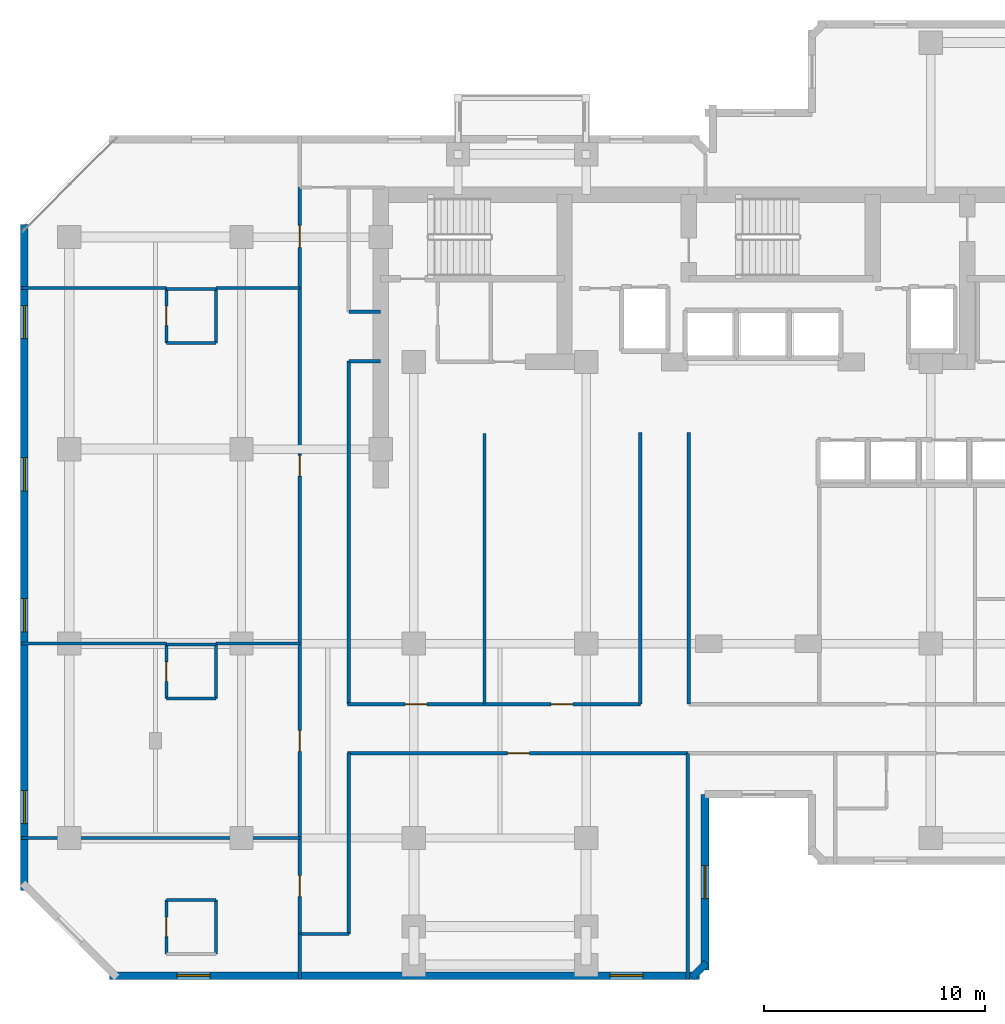
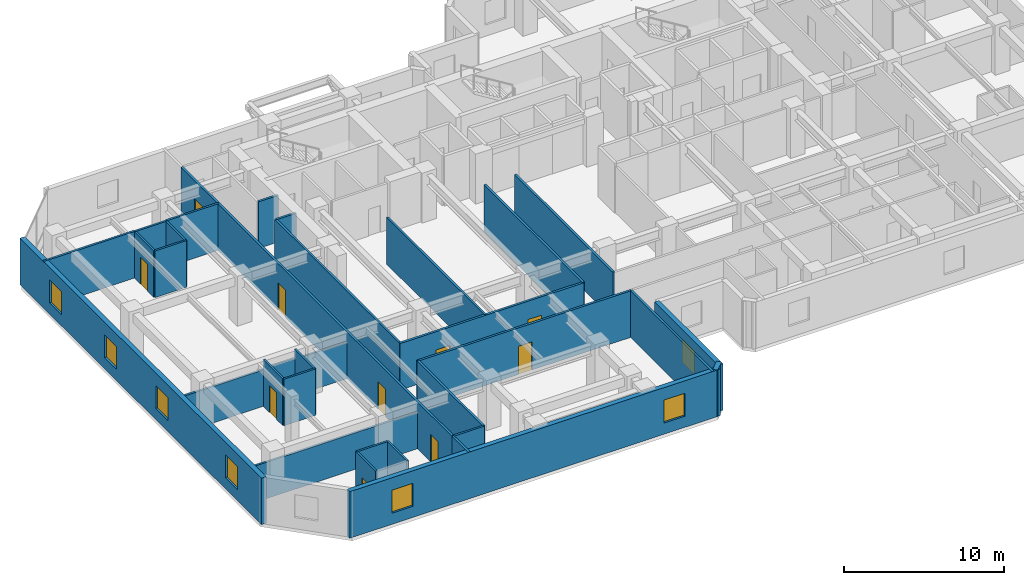
# One storey, part 4 of 9: 33 walls, 10 doors, 7 windows, 17 openings.
"""IFC4 building model written with IfcOpenShell, lengths in metres."""

from ifc_helpers import new_model, si_unit, direction, frame, frame_2d, origin, place, context, subcontext, project, spatial, rectangle, extrude, material, layer, layer_set, type_object, element, fill, save


model = new_model("IFC4")

# Units and contexts
model_context = context("Model", 3, precision=1e-05, world=origin(), true_north=direction((0.0, 1.0)))
body_context = subcontext(model_context, "Body", "Model", "MODEL_VIEW")
ifc_project = project(units=[si_unit("LENGTHUNIT", "METRE"), si_unit("AREAUNIT", "SQUARE_METRE"), si_unit("VOLUMEUNIT", "CUBIC_METRE"), si_unit("PLANEANGLEUNIT", "RADIAN"), si_unit("MASSUNIT", "GRAM", prefix="KILO")], contexts=[model_context])

# Site, building, storey
site_placement = place(None, origin())
site = spatial("IfcSite", under=ifc_project, at=site_placement, CompositionType="ELEMENT")
building_placement = place(site_placement, origin())
building = spatial("IfcBuilding", under=site, at=building_placement, Name="Kestravale Grand Hotel", CompositionType="ELEMENT")
storey_placement = place(building_placement, frame((0.0, 0.0, 176.39990234375)))
storey = spatial("IfcBuildingStorey", under=building, at=storey_placement, Name="L44", CompositionType="ELEMENT", Elevation=176.39990234375)

# Wall, openings, windows
ifc_material_1 = material(Name="Precast concrete f'c 45 MPa", Category="concrete")
ifc_layer_1 = layer(ifc_material_1, 0.340087890625)
ifc_layer_set_1 = layer_set([ifc_layer_1], Name="EW-PREC-340")
wall_type_1 = type_object("IfcWallType", Name="EW-PREC-340", PredefinedType="SOLIDWALL", material=ifc_layer_set_1)
wall_1_placement = place(storey_placement, frame((9.6298828125, 4.969970703125, 0.0), z_axis=(0.0, 0.0, 1.0), x_axis=(1.0, 0.0, 0.0)))
wall_1 = element("IfcWall", 1, at=wall_1_placement, inside=storey, type_object=wall_type_1, Name="L44 fluted precast facade wall 1", PredefinedType="SOLIDWALL", context=body_context, shape_type="SweptSolid", body=[
    extrude(rectangle(XDim=26.690185546875, YDim=0.340087890625, at=frame_2d((13.34521484375, 0.0))), origin(), (0.0, 0.0, 1.0), 3.550048828125),
])
opening_1_placement = place(wall_1_placement, frame((3.04833984375, 0.0, 0.85009765625)))
opening_1 = element("IfcOpeningElement", 2, at=opening_1_placement, cuts=wall_1, Name="Opening W-GUEST-1500", PredefinedType="OPENING", context=body_context, shape_type="SweptSolid", body=[
    extrude(rectangle(XDim=1.5, YDim=1.75, at=frame_2d((0.75, 0.875))), frame((0.0, 0.179931640625, 0.0), z_axis=(0.0, -1.0, 0.0), x_axis=(1.0, 0.0, 0.0)), (0.0, 0.0, 1.0), 0.360107421875),
])
opening_2_placement = place(wall_1_placement, frame((22.6416015625, 0.0, 0.85009765625)))
opening_2 = element("IfcOpeningElement", 3, at=opening_2_placement, cuts=wall_1, Name="Opening W-GUEST-1500", PredefinedType="OPENING", context=body_context, shape_type="SweptSolid", body=[
    extrude(rectangle(XDim=1.5, YDim=1.75, at=frame_2d((0.75, 0.875))), frame((0.0, 0.179931640625, 0.0), z_axis=(0.0, -1.0, 0.0), x_axis=(1.0, 0.0, 0.0)), (0.0, 0.0, 1.0), 0.360107421875),
])
ifc_material_2 = material(Name="Insulated low-E double glazing in aluminium frame", Category="aluminium")
window_type = type_object("IfcWindowType", Name="W-GUEST-1500", PartitioningType="SINGLE_PANEL", PredefinedType="WINDOW", material=ifc_material_2)
window_1_placement = place(opening_1_placement, origin())
window_1 = element("IfcWindow", 4, at=window_1_placement, inside=storey, type_object=window_type, Name="L44 exterior window 1.1", OverallHeight=1.75, OverallWidth=1.5, PartitioningType="SINGLE_PANEL", PredefinedType="WINDOW", context=body_context, shape_type="SweptSolid", body=[
    extrude(rectangle(XDim=1.5, YDim=1.75, at=frame_2d((0.75, 0.875))), frame((0.0, 0.030029296875, 0.0), z_axis=(0.0, -1.0, 0.0), x_axis=(1.0, 0.0, 0.0)), (0.0, 0.0, 1.0), 0.06005859375),
])
fill(opening_1, window_1)
window_2_placement = place(opening_2_placement, origin())
window_2 = element("IfcWindow", 5, at=window_2_placement, inside=storey, type_object=window_type, Name="L44 exterior window 1.2", OverallHeight=1.75, OverallWidth=1.5, PartitioningType="SINGLE_PANEL", PredefinedType="WINDOW", context=body_context, shape_type="SweptSolid", body=[
    extrude(rectangle(XDim=1.5, YDim=1.75, at=frame_2d((0.75, 0.875))), frame((0.0, 0.030029296875, 0.0), z_axis=(0.0, -1.0, 0.0), x_axis=(1.0, 0.0, 0.0)), (0.0, 0.0, 1.0), 0.06005859375),
])
fill(opening_2, window_2)

# Wall
wall_2_placement = place(storey_placement, frame((36.00146484375, 4.891845703125, 0.0), z_axis=(0.0, 0.0, 1.0), x_axis=(0.707106781187, 0.707106781187, 0.0)))
element("IfcWall", 6, at=wall_2_placement, inside=storey, type_object=wall_type_1, Name="L44 fluted precast facade wall 2", PredefinedType="SOLIDWALL", context=body_context, shape_type="SweptSolid", body=[
    extrude(rectangle(XDim=0.9287109375, YDim=0.340087890625, at=frame_2d((0.46435546875, 0.0))), origin(), (0.0, 0.0, 1.0), 3.550048828125),
])

# Wall, opening, window
wall_3_placement = place(storey_placement, frame((36.580078125, 5.22998046875, 0.0), z_axis=(0.0, 0.0, 1.0), x_axis=(0.0, 1.0, 0.0)))
wall_3 = element("IfcWall", 7, at=wall_3_placement, inside=storey, type_object=wall_type_1, Name="L44 fluted precast facade wall 3", PredefinedType="SOLIDWALL", context=body_context, shape_type="SweptSolid", body=[
    extrude(rectangle(XDim=7.93994140625, YDim=0.340087890625, at=frame_2d((3.969970703125, 0.0))), origin(), (0.0, 0.0, 1.0), 3.550048828125),
])
opening_3_placement = place(wall_3_placement, frame((3.219970703125, 0.0, 0.85009765625)))
opening_3 = element("IfcOpeningElement", 8, at=opening_3_placement, cuts=wall_3, Name="Opening W-GUEST-1500", PredefinedType="OPENING", context=body_context, shape_type="SweptSolid", body=[
    extrude(rectangle(XDim=1.5, YDim=1.75, at=frame_2d((0.75, 0.875))), frame((0.0, 0.179931640625, 0.0), z_axis=(0.0, -1.0, 0.0), x_axis=(1.0, 0.0, 0.0)), (0.0, 0.0, 1.0), 0.360107421875),
])
window_3_placement = place(opening_3_placement, origin())
window_3 = element("IfcWindow", 9, at=window_3_placement, inside=storey, type_object=window_type, Name="L44 exterior window 3.1", OverallHeight=1.75, OverallWidth=1.5, PartitioningType="SINGLE_PANEL", PredefinedType="WINDOW", context=body_context, shape_type="SweptSolid", body=[
    extrude(rectangle(XDim=1.5, YDim=1.75, at=frame_2d((0.75, 0.875))), frame((0.0, 0.030029296875, 0.0), z_axis=(0.0, -1.0, 0.0), x_axis=(1.0, 0.0, 0.0)), (0.0, 0.0, 1.0), 0.06005859375),
])
fill(opening_3, window_3)

# Wall, openings, windows
wall_4_placement = place(storey_placement, frame((5.77001953125, 38.969970703125, 0.0), z_axis=(0.0, 0.0, 1.0), x_axis=(0.0, -1.0, 0.0)))
wall_4 = element("IfcWall", 10, at=wall_4_placement, inside=storey, type_object=wall_type_1, Name="L44 fluted precast facade wall 19", PredefinedType="SOLIDWALL", context=body_context, shape_type="SweptSolid", body=[
    extrude(rectangle(XDim=30.139892578125, YDim=0.340087890625, at=frame_2d((15.06982421875, 0.0))), origin(), (0.0, 0.0, 1.0), 3.550048828125),
])
opening_4_placement = place(wall_4_placement, frame((3.66748046875, 0.0, 0.85009765625)))
opening_4 = element("IfcOpeningElement", 11, at=opening_4_placement, cuts=wall_4, Name="Opening W-GUEST-1500", PredefinedType="OPENING", context=body_context, shape_type="SweptSolid", body=[
    extrude(rectangle(XDim=1.5, YDim=1.75, at=frame_2d((0.75, 0.875))), frame((0.0, 0.179931640625, 0.0), z_axis=(0.0, -1.0, 0.0), x_axis=(1.0, 0.0, 0.0)), (0.0, 0.0, 1.0), 0.360107421875),
])
opening_5_placement = place(wall_4_placement, frame((10.552490234375, 0.0, 0.85009765625)))
opening_5 = element("IfcOpeningElement", 12, at=opening_5_placement, cuts=wall_4, Name="Opening W-GUEST-1500", PredefinedType="OPENING", context=body_context, shape_type="SweptSolid", body=[
    extrude(rectangle(XDim=1.5, YDim=1.75, at=frame_2d((0.75, 0.875))), frame((0.0, 0.179931640625, 0.0), z_axis=(0.0, -1.0, 0.0), x_axis=(1.0, 0.0, 0.0)), (0.0, 0.0, 1.0), 0.360107421875),
])
opening_6_placement = place(wall_4_placement, frame((16.9375, 0.0, 0.85009765625)))
opening_6 = element("IfcOpeningElement", 13, at=opening_6_placement, cuts=wall_4, Name="Opening W-GUEST-1500", PredefinedType="OPENING", context=body_context, shape_type="SweptSolid", body=[
    extrude(rectangle(XDim=1.5, YDim=1.75, at=frame_2d((0.75, 0.875))), frame((0.0, 0.179931640625, 0.0), z_axis=(0.0, -1.0, 0.0), x_axis=(1.0, 0.0, 0.0)), (0.0, 0.0, 1.0), 0.360107421875),
])
opening_7_placement = place(wall_4_placement, frame((25.62255859375, 0.0, 0.85009765625)))
opening_7 = element("IfcOpeningElement", 14, at=opening_7_placement, cuts=wall_4, Name="Opening W-GUEST-1500", PredefinedType="OPENING", context=body_context, shape_type="SweptSolid", body=[
    extrude(rectangle(XDim=1.5, YDim=1.75, at=frame_2d((0.75, 0.875))), frame((0.0, 0.179931640625, 0.0), z_axis=(0.0, -1.0, 0.0), x_axis=(1.0, 0.0, 0.0)), (0.0, 0.0, 1.0), 0.360107421875),
])
window_4_placement = place(opening_4_placement, origin())
window_4 = element("IfcWindow", 15, at=window_4_placement, inside=storey, type_object=window_type, Name="L44 exterior window 19.1", OverallHeight=1.75, OverallWidth=1.5, PartitioningType="SINGLE_PANEL", PredefinedType="WINDOW", context=body_context, shape_type="SweptSolid", body=[
    extrude(rectangle(XDim=1.5, YDim=1.75, at=frame_2d((0.75, 0.875))), frame((0.0, 0.030029296875, 0.0), z_axis=(0.0, -1.0, 0.0), x_axis=(1.0, 0.0, 0.0)), (0.0, 0.0, 1.0), 0.06005859375),
])
fill(opening_4, window_4)
window_5_placement = place(opening_5_placement, origin())
window_5 = element("IfcWindow", 16, at=window_5_placement, inside=storey, type_object=window_type, Name="L44 exterior window 19.2", OverallHeight=1.75, OverallWidth=1.5, PartitioningType="SINGLE_PANEL", PredefinedType="WINDOW", context=body_context, shape_type="SweptSolid", body=[
    extrude(rectangle(XDim=1.5, YDim=1.75, at=frame_2d((0.75, 0.875))), frame((0.0, 0.030029296875, 0.0), z_axis=(0.0, -1.0, 0.0), x_axis=(1.0, 0.0, 0.0)), (0.0, 0.0, 1.0), 0.06005859375),
])
fill(opening_5, window_5)
window_6_placement = place(opening_6_placement, origin())
window_6 = element("IfcWindow", 17, at=window_6_placement, inside=storey, type_object=window_type, Name="L44 exterior window 19.3", OverallHeight=1.75, OverallWidth=1.5, PartitioningType="SINGLE_PANEL", PredefinedType="WINDOW", context=body_context, shape_type="SweptSolid", body=[
    extrude(rectangle(XDim=1.5, YDim=1.75, at=frame_2d((0.75, 0.875))), frame((0.0, 0.030029296875, 0.0), z_axis=(0.0, -1.0, 0.0), x_axis=(1.0, 0.0, 0.0)), (0.0, 0.0, 1.0), 0.06005859375),
])
fill(opening_6, window_6)
window_7_placement = place(opening_7_placement, origin())
window_7 = element("IfcWindow", 18, at=window_7_placement, inside=storey, type_object=window_type, Name="L44 exterior window 19.4", OverallHeight=1.75, OverallWidth=1.5, PartitioningType="SINGLE_PANEL", PredefinedType="WINDOW", context=body_context, shape_type="SweptSolid", body=[
    extrude(rectangle(XDim=1.5, YDim=1.75, at=frame_2d((0.75, 0.875))), frame((0.0, 0.030029296875, 0.0), z_axis=(0.0, -1.0, 0.0), x_axis=(1.0, 0.0, 0.0)), (0.0, 0.0, 1.0), 0.06005859375),
])
fill(opening_7, window_7)

# Wall, openings, doors
ifc_material_3 = material(Name="Acoustic fire-rated gypsum board partition", Category="other")
ifc_layer_2 = layer(ifc_material_3, 0.159912109375)
ifc_layer_set_2 = layer_set([ifc_layer_2], Name="IW-CORR-160")
wall_type_2 = type_object("IfcWallType", Name="IW-CORR-160", PredefinedType="PARTITIONING", material=ifc_layer_set_2)
wall_5_placement = place(storey_placement, frame((20.39990234375, 17.260009765625, 0.0), z_axis=(0.0, 0.0, 1.0), x_axis=(1.0, 0.0, 0.0)))
wall_5 = element("IfcWall", 19, at=wall_5_placement, inside=storey, type_object=wall_type_2, Name="W-L44-CW-N", PredefinedType="PARTITIONING", context=body_context, shape_type="SweptSolid", body=[
    extrude(rectangle(XDim=13.25, YDim=0.159912109375, at=frame_2d((6.625, 0.0))), origin(), (0.0, 0.0, 1.0), 3.550048828125),
])
opening_8_placement = place(wall_5_placement, frame((2.60009765625, 0.0, 0.0)))
opening_8 = element("IfcOpeningElement", 20, at=opening_8_placement, cuts=wall_5, Name="Opening D-GUEST-1000", PredefinedType="OPENING", context=body_context, shape_type="SweptSolid", body=[
    extrude(rectangle(XDim=1.0, YDim=2.14990234375, at=frame_2d((0.5, 1.074951171875))), frame((0.0, 0.08984375, 0.0), z_axis=(0.0, -1.0, 0.0), x_axis=(1.0, 0.0, 0.0)), (0.0, 0.0, 1.0), 0.179931640625),
])
opening_9_placement = place(wall_5_placement, frame((9.199951171875, 0.0, 0.0)))
opening_9 = element("IfcOpeningElement", 21, at=opening_9_placement, cuts=wall_5, Name="Opening D-GUEST-1000", PredefinedType="OPENING", context=body_context, shape_type="SweptSolid", body=[
    extrude(rectangle(XDim=1.0, YDim=2.14990234375, at=frame_2d((0.5, 1.074951171875))), frame((0.0, 0.08984375, 0.0), z_axis=(0.0, -1.0, 0.0), x_axis=(1.0, 0.0, 0.0)), (0.0, 0.0, 1.0), 0.179931640625),
])
ifc_material_4 = material(Name="Accessible walnut veneer hotel entrance fire door", Category="wood")
door_type_1 = type_object("IfcDoorType", Name="D-GUEST-1000", OperationType="NOTDEFINED", PredefinedType="DOOR", material=ifc_material_4)
door_1_placement = place(opening_8_placement, origin())
door_1 = element("IfcDoor", 22, at=door_1_placement, inside=storey, type_object=door_type_1, Name="D-L44-RECL-W1", OperationType="SINGLE_SWING_LEFT", OverallHeight=2.14990234375, OverallWidth=1.0, PredefinedType="DOOR", context=body_context, shape_type="SweptSolid", body=[
    extrude(rectangle(XDim=1.0, YDim=2.14990234375, at=frame_2d((0.5, 1.074951171875))), frame((0.0, 0.02490234375, 0.0), z_axis=(0.0, -1.0, 0.0), x_axis=(1.0, 0.0, 0.0)), (0.0, 0.0, 1.0), 0.050048828125),
])
fill(opening_8, door_1)
door_2_placement = place(opening_9_placement, origin())
door_2 = element("IfcDoor", 23, at=door_2_placement, inside=storey, type_object=door_type_1, Name="D-L44-RECL-W2", OperationType="SINGLE_SWING_RIGHT", OverallHeight=2.14990234375, OverallWidth=1.0, PredefinedType="DOOR", context=body_context, shape_type="SweptSolid", body=[
    extrude(rectangle(XDim=1.0, YDim=2.14990234375, at=frame_2d((0.5, 1.074951171875))), frame((0.0, 0.02490234375, 0.0), z_axis=(0.0, -1.0, 0.0), x_axis=(1.0, 0.0, 0.0)), (0.0, 0.0, 1.0), 0.050048828125),
])
fill(opening_9, door_2)

# Walls
for number, where, z_axis, x_axis, name in (
    (24, (33.64990234375, 17.260009765625, 0.0), (0.0, 0.0, 1.0), (0.0, 1.0, 0.0), "W-L44-TRUNK-W"),
    (25, (35.85009765625, 17.260009765625, 0.0), (0.0, 0.0, 1.0), (0.0, 1.0, 0.0), "W-L44-TRUNK-E"),
):
    element("IfcWall", number, at=place(storey_placement, frame(where, z_axis=z_axis, x_axis=x_axis)), inside=storey, type_object=wall_type_2, Name=name, PredefinedType="PARTITIONING", context=body_context, shape_type="SweptSolid", body=[
        extrude(rectangle(XDim=12.2900390625, YDim=0.159912109375, at=frame_2d((6.14501953125, 0.0))), origin(), (0.0, 0.0, 1.0), 3.550048828125),
    ])

# Wall, opening, door
wall_6_placement = place(storey_placement, frame((20.39990234375, 15.0400390625, 0.0), z_axis=(0.0, 0.0, 1.0), x_axis=(1.0, 0.0, 0.0)))
wall_6 = element("IfcWall", 26, at=wall_6_placement, inside=storey, type_object=wall_type_2, Name="W-L44-CW-S", PredefinedType="PARTITIONING", context=body_context, shape_type="SweptSolid", body=[
    extrude(rectangle(XDim=15.400146484375, YDim=0.159912109375, at=frame_2d((7.7001953125, 0.0))), origin(), (0.0, 0.0, 1.0), 3.550048828125),
])
opening_10_placement = place(wall_6_placement, frame((7.22998046875, 0.0, 0.0)))
opening_10 = element("IfcOpeningElement", 27, at=opening_10_placement, cuts=wall_6, Name="Opening D-GUEST-1000", PredefinedType="OPENING", context=body_context, shape_type="SweptSolid", body=[
    extrude(rectangle(XDim=1.0, YDim=2.14990234375, at=frame_2d((0.5, 1.074951171875))), frame((0.0, 0.08984375, 0.0), z_axis=(0.0, -1.0, 0.0), x_axis=(1.0, 0.0, 0.0)), (0.0, 0.0, 1.0), 0.179931640625),
])
door_3_placement = place(opening_10_placement, origin())
door_3 = element("IfcDoor", 28, at=door_3_placement, inside=storey, type_object=door_type_1, Name="D-L44-AMW", OperationType="SINGLE_SWING_LEFT", OverallHeight=2.14990234375, OverallWidth=1.0, PredefinedType="DOOR", context=body_context, shape_type="SweptSolid", body=[
    extrude(rectangle(XDim=1.0, YDim=2.14990234375, at=frame_2d((0.5, 1.074951171875))), frame((0.0, 0.02490234375, 0.0), z_axis=(0.0, -1.0, 0.0), x_axis=(1.0, 0.0, 0.0)), (0.0, 0.0, 1.0), 0.050048828125),
])
fill(opening_10, door_3)

# Wall, openings, doors
wall_7_placement = place(storey_placement, frame((18.239990234375, 6.85009765625, 0.0), z_axis=(0.0, 0.0, 1.0), x_axis=(0.0, 1.0, 0.0)))
wall_7 = element("IfcWall", 29, at=wall_7_placement, inside=storey, type_object=wall_type_2, Name="W-L44-SW-W", PredefinedType="PARTITIONING", context=body_context, shape_type="SweptSolid", body=[
    extrude(rectangle(XDim=33.7998046875, YDim=0.159912109375, at=frame_2d((16.89990234375, 0.0))), origin(), (0.0, 0.0, 1.0), 3.550048828125),
])
opening_11_placement = place(wall_7_placement, frame((1.699951171875, 0.0, 0.0)))
opening_11 = element("IfcOpeningElement", 30, at=opening_11_placement, cuts=wall_7, Name="Opening D-GUEST-950", PredefinedType="OPENING", context=body_context, shape_type="SweptSolid", body=[
    extrude(rectangle(XDim=0.949951171875, YDim=2.10009765625, at=frame_2d((0.47509765625, 1.050048828125))), frame((0.0, 0.08984375, 0.0), z_axis=(0.0, -1.0, 0.0), x_axis=(1.0, 0.0, 0.0)), (0.0, 0.0, 1.0), 0.179931640625),
])
opening_12_placement = place(wall_7_placement, frame((8.27490234375, 0.0, 0.0)))
opening_12 = element("IfcOpeningElement", 31, at=opening_12_placement, cuts=wall_7, Name="Opening D-GUEST-950", PredefinedType="OPENING", context=body_context, shape_type="SweptSolid", body=[
    extrude(rectangle(XDim=0.949951171875, YDim=2.10009765625, at=frame_2d((0.47509765625, 1.050048828125))), frame((0.0, 0.08984375, 0.0), z_axis=(0.0, -1.0, 0.0), x_axis=(1.0, 0.0, 0.0)), (0.0, 0.0, 1.0), 0.179931640625),
])
opening_13_placement = place(wall_7_placement, frame((20.72509765625, 0.0, 0.0)))
opening_13 = element("IfcOpeningElement", 32, at=opening_13_placement, cuts=wall_7, Name="Opening D-GUEST-950", PredefinedType="OPENING", context=body_context, shape_type="SweptSolid", body=[
    extrude(rectangle(XDim=0.949951171875, YDim=2.10009765625, at=frame_2d((0.47509765625, 1.050048828125))), frame((0.0, 0.08984375, 0.0), z_axis=(0.0, -1.0, 0.0), x_axis=(1.0, 0.0, 0.0)), (0.0, 0.0, 1.0), 0.179931640625),
])
opening_14_placement = place(wall_7_placement, frame((31.080078125, 0.0, 0.0)))
opening_14 = element("IfcOpeningElement", 33, at=opening_14_placement, cuts=wall_7, Name="Opening D-GUEST-1000", PredefinedType="OPENING", context=body_context, shape_type="SweptSolid", body=[
    extrude(rectangle(XDim=1.0, YDim=2.14990234375, at=frame_2d((0.5, 1.074951171875))), frame((0.0, 0.08984375, 0.0), z_axis=(0.0, -1.0, 0.0), x_axis=(1.0, 0.0, 0.0)), (0.0, 0.0, 1.0), 0.179931640625),
])
door_4_placement = place(opening_14_placement, origin())
door_4 = element("IfcDoor", 34, at=door_4_placement, inside=storey, type_object=door_type_1, Name="D-L44-AMWW", OperationType="SINGLE_SWING_LEFT", OverallHeight=2.14990234375, OverallWidth=1.0, PredefinedType="DOOR", context=body_context, shape_type="SweptSolid", body=[
    extrude(rectangle(XDim=1.0, YDim=2.14990234375, at=frame_2d((0.5, 1.074951171875))), frame((0.0, 0.02490234375, 0.0), z_axis=(0.0, -1.0, 0.0), x_axis=(1.0, 0.0, 0.0)), (0.0, 0.0, 1.0), 0.050048828125),
])
fill(opening_14, door_4)
ifc_material_5 = material(Name="Walnut veneer hotel guestroom entrance fire door", Category="wood")
door_type_2 = type_object("IfcDoorType", Name="D-GUEST-950", OperationType="NOTDEFINED", PredefinedType="DOOR", material=ifc_material_5)
door_5_placement = place(opening_11_placement, origin())
door_5 = element("IfcDoor", 35, at=door_5_placement, inside=storey, type_object=door_type_2, Name="D-L44-U02-ENT", OperationType="SINGLE_SWING_RIGHT", OverallHeight=2.10009765625, OverallWidth=0.949951171875, PredefinedType="DOOR", context=body_context, shape_type="SweptSolid", body=[
    extrude(rectangle(XDim=0.949951171875, YDim=2.10009765625, at=frame_2d((0.47509765625, 1.050048828125))), frame((0.0, 0.02490234375, 0.0), z_axis=(0.0, -1.0, 0.0), x_axis=(1.0, 0.0, 0.0)), (0.0, 0.0, 1.0), 0.050048828125),
])
fill(opening_11, door_5)
door_6_placement = place(opening_12_placement, origin())
door_6 = element("IfcDoor", 36, at=door_6_placement, inside=storey, type_object=door_type_2, Name="D-L44-U03-ENT", OperationType="SINGLE_SWING_RIGHT", OverallHeight=2.10009765625, OverallWidth=0.949951171875, PredefinedType="DOOR", context=body_context, shape_type="SweptSolid", body=[
    extrude(rectangle(XDim=0.949951171875, YDim=2.10009765625, at=frame_2d((0.47509765625, 1.050048828125))), frame((0.0, 0.02490234375, 0.0), z_axis=(0.0, -1.0, 0.0), x_axis=(1.0, 0.0, 0.0)), (0.0, 0.0, 1.0), 0.050048828125),
])
fill(opening_12, door_6)
door_7_placement = place(opening_13_placement, origin())
door_7 = element("IfcDoor", 37, at=door_7_placement, inside=storey, type_object=door_type_2, Name="D-L44-U04-ENT", OperationType="SINGLE_SWING_RIGHT", OverallHeight=2.10009765625, OverallWidth=0.949951171875, PredefinedType="DOOR", context=body_context, shape_type="SweptSolid", body=[
    extrude(rectangle(XDim=0.949951171875, YDim=2.10009765625, at=frame_2d((0.47509765625, 1.050048828125))), frame((0.0, 0.02490234375, 0.0), z_axis=(0.0, -1.0, 0.0), x_axis=(1.0, 0.0, 0.0)), (0.0, 0.0, 1.0), 0.050048828125),
])
fill(opening_13, door_7)

# Walls
wall_8_placement = place(storey_placement, frame((20.4599609375, 6.85009765625, 0.0), z_axis=(0.0, 0.0, 1.0), x_axis=(0.0, 1.0, 0.0)))
element("IfcWall", 38, at=wall_8_placement, inside=storey, type_object=wall_type_2, Name="W-L44-SW-E", PredefinedType="PARTITIONING", context=body_context, shape_type="SweptSolid", body=[
    extrude(rectangle(XDim=8.18994140625, YDim=0.159912109375, at=frame_2d((4.094970703125, 0.0))), origin(), (0.0, 0.0, 1.0), 3.550048828125),
])
for number, where, z_axis, x_axis, name in (
    (39, (20.4599609375, 35.02001953125, 0.0), (0.0, 0.0, 1.0), (1.0, 0.0, 0.0), "W-L44-SW-CN"),
    (40, (20.4599609375, 32.780029296875, 0.0), (0.0, 0.0, 1.0), (1.0, 0.0, 0.0), "W-L44-SW-CS"),
):
    element("IfcWall", number, at=place(storey_placement, frame(where, z_axis=z_axis, x_axis=x_axis)), inside=storey, type_object=wall_type_2, Name=name, PredefinedType="PARTITIONING", context=body_context, shape_type="SweptSolid", body=[
        extrude(rectangle(XDim=1.43994140625, YDim=0.159912109375, at=frame_2d((0.719970703125, 0.0))), origin(), (0.0, 0.0, 1.0), 3.550048828125),
    ])

# Wall, opening, door
ifc_material_6 = material(Name="Moisture-resistant tile-backer plumbing chase wall", Category="other")
ifc_layer_3 = layer(ifc_material_6, 0.139892578125)
ifc_layer_set_3 = layer_set([ifc_layer_3], Name="IW-PLB-140")
wall_type_3 = type_object("IfcWallType", Name="IW-PLB-140", PredefinedType="PLUMBINGWALL", material=ifc_layer_set_3)
wall_9_placement = place(storey_placement, frame((12.199951171875, 5.949951171875, 0.0), z_axis=(0.0, 0.0, 1.0), x_axis=(0.0, 1.0, 0.0)))
wall_9 = element("IfcWall", 41, at=wall_9_placement, inside=storey, type_object=wall_type_3, Name="W-L44-U02-BW", PredefinedType="PLUMBINGWALL", context=body_context, shape_type="SweptSolid", body=[
    extrude(rectangle(XDim=2.449951171875, YDim=0.139892578125, at=frame_2d((1.22509765625, 0.0))), origin(), (0.0, 0.0, 1.0), 3.550048828125),
])
opening_15_placement = place(wall_9_placement, frame((0.784912109375, 0.0, 0.0)))
opening_15 = element("IfcOpeningElement", 42, at=opening_15_placement, cuts=wall_9, Name="Opening D-BATH-880", PredefinedType="OPENING", context=body_context, shape_type="SweptSolid", body=[
    extrude(rectangle(XDim=0.8798828125, YDim=2.050048828125, at=frame_2d((0.43994140625, 1.02490234375))), frame((0.0, 0.079833984375, 0.0), z_axis=(0.0, -1.0, 0.0), x_axis=(1.0, 0.0, 0.0)), (0.0, 0.0, 1.0), 0.159912109375),
])
ifc_material_7 = material(Name="Moisture-sealed walnut en-suite bathroom door", Category="wood")
door_type_3 = type_object("IfcDoorType", Name="D-BATH-880", OperationType="NOTDEFINED", PredefinedType="DOOR", material=ifc_material_7)
door_8_placement = place(opening_15_placement, origin())
door_8 = element("IfcDoor", 43, at=door_8_placement, inside=storey, type_object=door_type_3, Name="D-L44-U02-BATH", OperationType="SINGLE_SWING_LEFT", OverallHeight=2.050048828125, OverallWidth=0.8798828125, PredefinedType="DOOR", context=body_context, shape_type="SweptSolid", body=[
    extrude(rectangle(XDim=0.8798828125, YDim=2.050048828125, at=frame_2d((0.43994140625, 1.02490234375))), frame((0.0, 0.02490234375, 0.0), z_axis=(0.0, -1.0, 0.0), x_axis=(1.0, 0.0, 0.0)), (0.0, 0.0, 1.0), 0.050048828125),
])
fill(opening_15, door_8)

# Walls
wall_10_placement = place(storey_placement, frame((14.449951171875, 5.949951171875, 0.0), z_axis=(0.0, 0.0, 1.0), x_axis=(0.0, 1.0, 0.0)))
element("IfcWall", 44, at=wall_10_placement, inside=storey, type_object=wall_type_3, Name="W-L44-U02-BE", PredefinedType="PLUMBINGWALL", context=body_context, shape_type="SweptSolid", body=[
    extrude(rectangle(XDim=2.449951171875, YDim=0.139892578125, at=frame_2d((1.22509765625, 0.0))), origin(), (0.0, 0.0, 1.0), 3.550048828125),
])
wall_11_placement = place(storey_placement, frame((12.199951171875, 8.39990234375, 0.0), z_axis=(0.0, 0.0, 1.0), x_axis=(1.0, 0.0, 0.0)))
element("IfcWall", 45, at=wall_11_placement, inside=storey, type_object=wall_type_3, Name="W-L44-U02-BN", PredefinedType="PLUMBINGWALL", context=body_context, shape_type="SweptSolid", body=[
    extrude(rectangle(XDim=2.25, YDim=0.139892578125, at=frame_2d((1.125, 0.0))), origin(), (0.0, 0.0, 1.0), 3.550048828125),
])

# Wall, opening, door
wall_12_placement = place(storey_placement, frame((12.199951171875, 17.510009765625, 0.0), z_axis=(0.0, 0.0, 1.0), x_axis=(0.0, 1.0, 0.0)))
wall_12 = element("IfcWall", 46, at=wall_12_placement, inside=storey, type_object=wall_type_3, Name="W-L44-U03-BW", PredefinedType="PLUMBINGWALL", context=body_context, shape_type="SweptSolid", body=[
    extrude(rectangle(XDim=2.449951171875, YDim=0.139892578125, at=frame_2d((1.22509765625, 0.0))), origin(), (0.0, 0.0, 1.0), 3.550048828125),
])
opening_16_placement = place(wall_12_placement, frame((0.784912109375, 0.0, 0.0)))
opening_16 = element("IfcOpeningElement", 47, at=opening_16_placement, cuts=wall_12, Name="Opening D-BATH-880", PredefinedType="OPENING", context=body_context, shape_type="SweptSolid", body=[
    extrude(rectangle(XDim=0.8798828125, YDim=2.050048828125, at=frame_2d((0.43994140625, 1.02490234375))), frame((0.0, 0.079833984375, 0.0), z_axis=(0.0, -1.0, 0.0), x_axis=(1.0, 0.0, 0.0)), (0.0, 0.0, 1.0), 0.159912109375),
])
door_9_placement = place(opening_16_placement, origin())
door_9 = element("IfcDoor", 48, at=door_9_placement, inside=storey, type_object=door_type_3, Name="D-L44-U03-BATH", OperationType="SINGLE_SWING_LEFT", OverallHeight=2.050048828125, OverallWidth=0.8798828125, PredefinedType="DOOR", context=body_context, shape_type="SweptSolid", body=[
    extrude(rectangle(XDim=0.8798828125, YDim=2.050048828125, at=frame_2d((0.43994140625, 1.02490234375))), frame((0.0, 0.02490234375, 0.0), z_axis=(0.0, -1.0, 0.0), x_axis=(1.0, 0.0, 0.0)), (0.0, 0.0, 1.0), 0.050048828125),
])
fill(opening_16, door_9)

# Walls
wall_13_placement = place(storey_placement, frame((14.449951171875, 17.510009765625, 0.0), z_axis=(0.0, 0.0, 1.0), x_axis=(0.0, 1.0, 0.0)))
element("IfcWall", 49, at=wall_13_placement, inside=storey, type_object=wall_type_3, Name="W-L44-U03-BE", PredefinedType="PLUMBINGWALL", context=body_context, shape_type="SweptSolid", body=[
    extrude(rectangle(XDim=2.449951171875, YDim=0.139892578125, at=frame_2d((1.22509765625, 0.0))), origin(), (0.0, 0.0, 1.0), 3.550048828125),
])
wall_14_placement = place(storey_placement, frame((12.199951171875, 17.510009765625, 0.0), z_axis=(0.0, 0.0, 1.0), x_axis=(1.0, 0.0, 0.0)))
element("IfcWall", 50, at=wall_14_placement, inside=storey, type_object=wall_type_3, Name="W-L44-U03-BS", PredefinedType="PLUMBINGWALL", context=body_context, shape_type="SweptSolid", body=[
    extrude(rectangle(XDim=2.25, YDim=0.139892578125, at=frame_2d((1.125, 0.0))), origin(), (0.0, 0.0, 1.0), 3.550048828125),
])
wall_15_placement = place(storey_placement, frame((12.199951171875, 19.9599609375, 0.0), z_axis=(0.0, 0.0, 1.0), x_axis=(1.0, 0.0, 0.0)))
element("IfcWall", 51, at=wall_15_placement, inside=storey, type_object=wall_type_3, Name="W-L44-U03-BN", PredefinedType="PLUMBINGWALL", context=body_context, shape_type="SweptSolid", body=[
    extrude(rectangle(XDim=2.25, YDim=0.139892578125, at=frame_2d((1.125, 0.0))), origin(), (0.0, 0.0, 1.0), 2.900146484375),
])

# Wall, opening, door
wall_16_placement = place(storey_placement, frame((12.199951171875, 33.610107421875, 0.0), z_axis=(0.0, 0.0, 1.0), x_axis=(0.0, 1.0, 0.0)))
wall_16 = element("IfcWall", 52, at=wall_16_placement, inside=storey, type_object=wall_type_3, Name="W-L44-U04-BW", PredefinedType="PLUMBINGWALL", context=body_context, shape_type="SweptSolid", body=[
    extrude(rectangle(XDim=2.449951171875, YDim=0.139892578125, at=frame_2d((1.22509765625, 0.0))), origin(), (0.0, 0.0, 1.0), 3.550048828125),
])
opening_17_placement = place(wall_16_placement, frame((0.784912109375, 0.0, 0.0)))
opening_17 = element("IfcOpeningElement", 53, at=opening_17_placement, cuts=wall_16, Name="Opening D-BATH-880", PredefinedType="OPENING", context=body_context, shape_type="SweptSolid", body=[
    extrude(rectangle(XDim=0.8798828125, YDim=2.050048828125, at=frame_2d((0.43994140625, 1.02490234375))), frame((0.0, 0.079833984375, 0.0), z_axis=(0.0, -1.0, 0.0), x_axis=(1.0, 0.0, 0.0)), (0.0, 0.0, 1.0), 0.159912109375),
])
door_10_placement = place(opening_17_placement, origin())
door_10 = element("IfcDoor", 54, at=door_10_placement, inside=storey, type_object=door_type_3, Name="D-L44-U04-BATH", OperationType="SINGLE_SWING_LEFT", OverallHeight=2.050048828125, OverallWidth=0.8798828125, PredefinedType="DOOR", context=body_context, shape_type="SweptSolid", body=[
    extrude(rectangle(XDim=0.8798828125, YDim=2.050048828125, at=frame_2d((0.43994140625, 1.02490234375))), frame((0.0, 0.02490234375, 0.0), z_axis=(0.0, -1.0, 0.0), x_axis=(1.0, 0.0, 0.0)), (0.0, 0.0, 1.0), 0.050048828125),
])
fill(opening_17, door_10)

# Walls
wall_17_placement = place(storey_placement, frame((14.449951171875, 33.610107421875, 0.0), z_axis=(0.0, 0.0, 1.0), x_axis=(0.0, 1.0, 0.0)))
element("IfcWall", 55, at=wall_17_placement, inside=storey, type_object=wall_type_3, Name="W-L44-U04-BE", PredefinedType="PLUMBINGWALL", context=body_context, shape_type="SweptSolid", body=[
    extrude(rectangle(XDim=2.449951171875, YDim=0.139892578125, at=frame_2d((1.22509765625, 0.0))), origin(), (0.0, 0.0, 1.0), 3.550048828125),
])
for number, where, z_axis, x_axis, name in (
    (56, (12.199951171875, 33.610107421875, 0.0), (0.0, 0.0, 1.0), (1.0, 0.0, 0.0), "W-L44-U04-BS"),
    (57, (12.199951171875, 36.06005859375, 0.0), (0.0, 0.0, 1.0), (1.0, 0.0, 0.0), "W-L44-U04-BN"),
):
    element("IfcWall", number, at=place(storey_placement, frame(where, z_axis=z_axis, x_axis=x_axis)), inside=storey, type_object=wall_type_3, Name=name, PredefinedType="PLUMBINGWALL", context=body_context, shape_type="SweptSolid", body=[
        extrude(rectangle(XDim=2.25, YDim=0.139892578125, at=frame_2d((1.125, 0.0))), origin(), (0.0, 0.0, 1.0), 3.550048828125),
    ])
ifc_material_8 = material(Name="Double-stud STC 52 acoustic demising partition", Category="other")
ifc_layer_4 = layer(ifc_material_8, 0.14990234375)
ifc_layer_set_4 = layer_set([ifc_layer_4], Name="IW-UNIT-150")
wall_type_4 = type_object("IfcWallType", Name="IW-UNIT-150", PredefinedType="PARTITIONING", material=ifc_layer_set_4)
wall_18_placement = place(storey_placement, frame((18.239990234375, 6.85009765625, 0.0), z_axis=(0.0, 0.0, 1.0), x_axis=(1.0, 0.0, 0.0)))
element("IfcWall", 58, at=wall_18_placement, inside=storey, type_object=wall_type_4, Name="W-L44-SW-S", PredefinedType="PARTITIONING", context=body_context, shape_type="SweptSolid", body=[
    extrude(rectangle(XDim=2.219970703125, YDim=0.14990234375, at=frame_2d((1.10986328125, 0.0))), origin(), (0.0, 0.0, 1.0), 3.550048828125),
])
wall_19_placement = place(storey_placement, frame((20.4599609375, 17.260009765625, 0.0), z_axis=(0.0, 0.0, 1.0), x_axis=(0.0, 1.0, 0.0)))
element("IfcWall", 59, at=wall_19_placement, inside=storey, type_object=wall_type_4, Name="W-L44-RCLW-W", PredefinedType="PARTITIONING", context=body_context, shape_type="SweptSolid", body=[
    extrude(rectangle(XDim=15.5400390625, YDim=0.14990234375, at=frame_2d((7.77001953125, 0.0))), origin(), (0.0, 0.0, 1.0), 3.550048828125),
])
wall_20_placement = place(storey_placement, frame((26.60009765625, 17.260009765625, 0.0), z_axis=(0.0, 0.0, 1.0), x_axis=(0.0, 1.0, 0.0)))
element("IfcWall", 60, at=wall_20_placement, inside=storey, type_object=wall_type_4, Name="W-L44-RCLW-M", PredefinedType="PARTITIONING", context=body_context, shape_type="SweptSolid", body=[
    extrude(rectangle(XDim=12.239990234375, YDim=0.14990234375, at=frame_2d((6.1201171875, 0.0))), origin(), (0.0, 0.0, 1.0), 3.550048828125),
])
wall_21_placement = place(storey_placement, frame((35.800048828125, 4.820068359375, 0.0), z_axis=(0.0, 0.0, 1.0), x_axis=(0.0, 1.0, 0.0)))
element("IfcWall", 61, at=wall_21_placement, inside=storey, type_object=wall_type_4, Name="W-L44-MID-S", PredefinedType="PARTITIONING", context=body_context, shape_type="SweptSolid", body=[
    extrude(rectangle(XDim=10.199951171875, YDim=0.14990234375, at=frame_2d((5.10009765625, 0.0))), origin(), (0.0, 0.0, 1.0), 3.550048828125),
])
wall_22_placement = place(storey_placement, frame((18.239990234375, 4.820068359375, 0.0), z_axis=(0.0, 0.0, 1.0), x_axis=(0.0, 1.0, 0.0)))
element("IfcWall", 62, at=wall_22_placement, inside=storey, type_object=wall_type_4, Name="W-L44-SW-EXT", PredefinedType="PARTITIONING", context=body_context, shape_type="SweptSolid", body=[
    extrude(rectangle(XDim=2.030029296875, YDim=0.14990234375, at=frame_2d((1.01513671875, 0.0))), origin(), (0.0, 0.0, 1.0), 3.550048828125),
])
wall_23_placement = place(storey_placement, frame((5.6201171875, 11.199951171875, 0.0), z_axis=(0.0, 0.0, 1.0), x_axis=(1.0, 0.0, 0.0)))
element("IfcWall", 63, at=wall_23_placement, inside=storey, type_object=wall_type_4, Name="W-L44-WW-1", PredefinedType="PARTITIONING", context=body_context, shape_type="SweptSolid", body=[
    extrude(rectangle(XDim=12.619873046875, YDim=0.14990234375, at=frame_2d((6.31005859375, 0.0))), origin(), (0.0, 0.0, 1.0), 2.778076171875),
])
wall_24_placement = place(storey_placement, frame((5.6201171875, 20.0, 0.0), z_axis=(0.0, 0.0, 1.0), x_axis=(1.0, 0.0, 0.0)))
element("IfcWall", 64, at=wall_24_placement, inside=storey, type_object=wall_type_4, Name="W-L44-WW-2", PredefinedType="PARTITIONING", context=body_context, shape_type="SweptSolid", body=[
    extrude(rectangle(XDim=6.579833984375, YDim=0.14990234375, at=frame_2d((3.2900390625, 0.0))), origin(), (0.0, 0.0, 1.0), 2.778076171875),
])
wall_25_placement = place(storey_placement, frame((14.449951171875, 20.0, 0.0), z_axis=(0.0, 0.0, 1.0), x_axis=(1.0, 0.0, 0.0)))
element("IfcWall", 65, at=wall_25_placement, inside=storey, type_object=wall_type_4, Name="W-L44-WW-2", PredefinedType="PARTITIONING", context=body_context, shape_type="SweptSolid", body=[
    extrude(rectangle(XDim=3.7900390625, YDim=0.14990234375, at=frame_2d((1.89501953125, 0.0))), origin(), (0.0, 0.0, 1.0), 2.778076171875),
])
wall_26_placement = place(storey_placement, frame((5.6201171875, 36.10009765625, 0.0), z_axis=(0.0, 0.0, 1.0), x_axis=(1.0, 0.0, 0.0)))
element("IfcWall", 66, at=wall_26_placement, inside=storey, type_object=wall_type_4, Name="W-L44-WW-3", PredefinedType="PARTITIONING", context=body_context, shape_type="SweptSolid", body=[
    extrude(rectangle(XDim=6.579833984375, YDim=0.14990234375, at=frame_2d((3.2900390625, 0.0))), origin(), (0.0, 0.0, 1.0), 3.550048828125),
])
wall_27_placement = place(storey_placement, frame((14.449951171875, 36.10009765625, 0.0), z_axis=(0.0, 0.0, 1.0), x_axis=(1.0, 0.0, 0.0)))
element("IfcWall", 67, at=wall_27_placement, inside=storey, type_object=wall_type_4, Name="W-L44-WW-3", PredefinedType="PARTITIONING", context=body_context, shape_type="SweptSolid", body=[
    extrude(rectangle(XDim=3.7900390625, YDim=0.14990234375, at=frame_2d((1.89501953125, 0.0))), origin(), (0.0, 0.0, 1.0), 3.550048828125),
])

save(model, "model.ifc")
